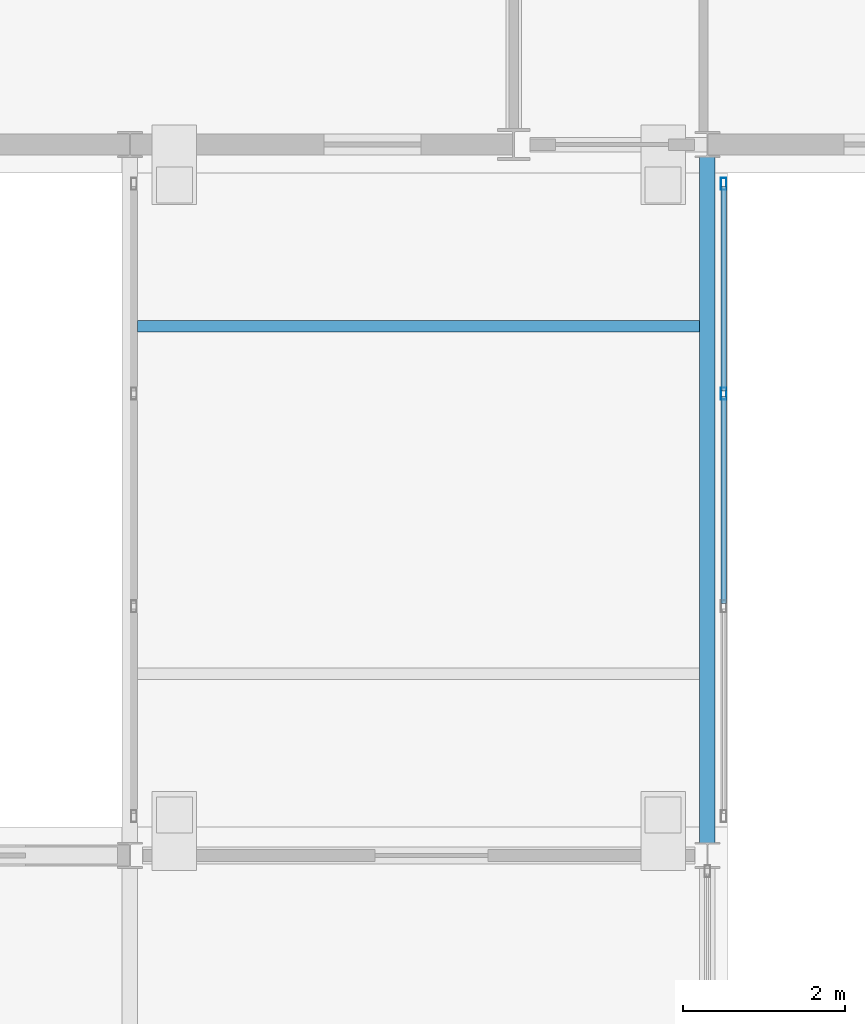
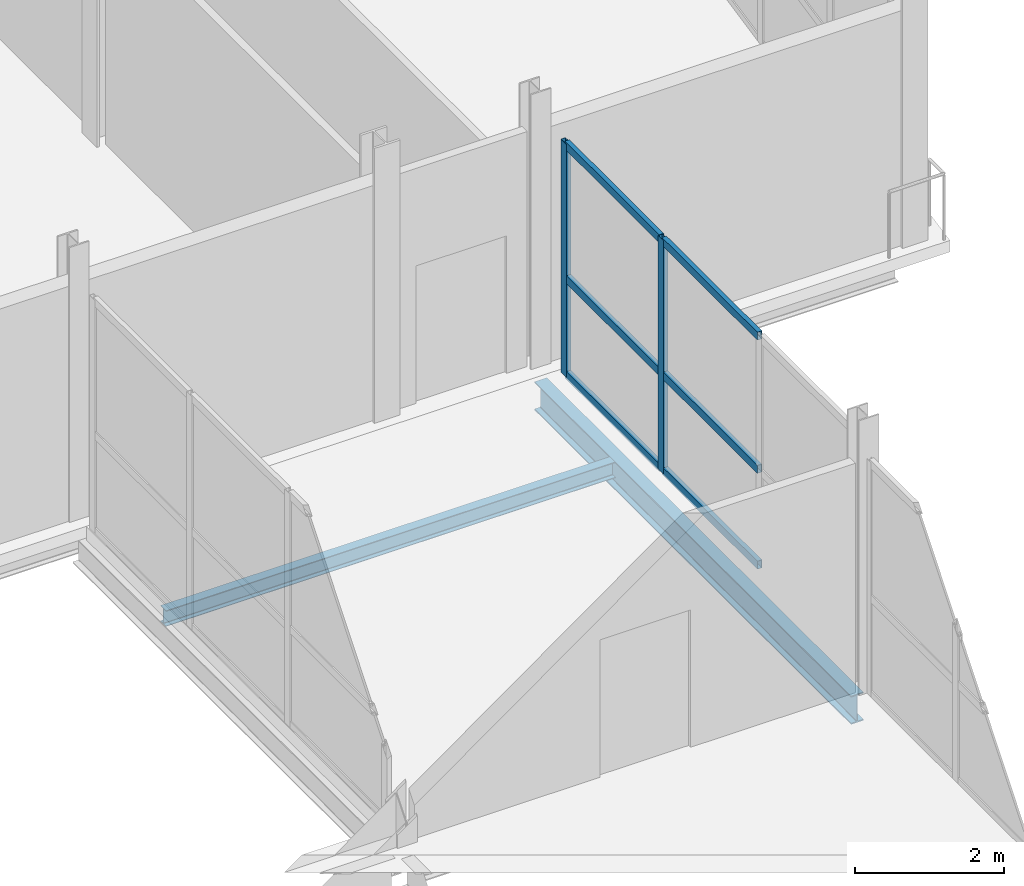
# One storey, part 25 of 77: 8 members, 2 beams, 1 element without a shape of its own.
"""IFC4 building model written with IfcOpenShell, lengths in metres."""

import ifcopenshell
import ifcopenshell.guid

model = None  # the IFC model being written
_history = None  # IfcOwnerHistory: only IFC2X3 demands one
_inside = {}  # id of a spatial element -> (the spatial element, [elements in it])
_under = {}  # id of a project, library or spatial element -> (it, [spatial elements below it])
_declared = {}  # id of a project -> (the project, [libraries it declares])
_typed = {}  # id of a type object -> (the type object, [elements of that type])
_made_of = {}  # id of a material, layer set ... -> (it, [elements and type objects made of it])


def new_model(schema):
    """Start an empty IFC model of exactly this schema.

    Asked for "IFC4X3", IfcOpenShell would pick the latest addendum, in which some entities
    have other attributes; the version numbers below select the first issue.
    IFC2X3 requires an IfcOwnerHistory on every rooted entity: one is made here for all.
    """
    global model, _history
    if schema == "IFC4X3":
        model = ifcopenshell.file(schema_version=(4, 3, 0, 0))
    else:
        model = ifcopenshell.file(schema=schema)
    _inside.clear()
    _under.clear()
    _declared.clear()
    _typed.clear()
    _made_of.clear()
    _history = None
    if model.schema == "IFC2X3":
        org = make("IfcOrganization", Name="unknown")
        user = make(
            "IfcPersonAndOrganization",
            ThePerson=make("IfcPerson", FamilyName="unknown"),
            TheOrganization=org,
        )
        app = make(
            "IfcApplication",
            ApplicationDeveloper=org,
            Version="unknown",
            ApplicationFullName="unknown",
            ApplicationIdentifier="unknown",
        )
        _history = make(
            "IfcOwnerHistory",
            OwningUser=user,
            OwningApplication=app,
            ChangeAction="ADDED",
            CreationDate=0,
        )
    return model


def make(cls, **values):
    """One entity of the class cls with the attributes given. An attribute that is None is left unset."""
    return model.create_entity(
        cls, **{name: value for name, value in values.items() if value is not None}
    )


def rooted(cls, **values):
    """An entity with a GlobalId (a new one), such as an element, a storey or a relation."""
    return make(cls, GlobalId=ifcopenshell.guid.new(), OwnerHistory=_history, **values)


def si_unit(unit_type, name, prefix=None):
    """IfcSIUnit, for example si_unit("LENGTHUNIT", "METRE", prefix="MILLI")."""
    return make("IfcSIUnit", UnitType=unit_type, Prefix=prefix, Name=name)


def assignment(units):
    """IfcUnitAssignment: the units of a project."""
    return None if units is None else make("IfcUnitAssignment", Units=units)


def point(xyz):
    """IfcCartesianPoint."""
    return None if xyz is None else make("IfcCartesianPoint", Coordinates=xyz)


def direction(xyz):
    """IfcDirection."""
    return None if xyz is None else make("IfcDirection", DirectionRatios=xyz)


def frame(location, z_axis=None, x_axis=None):
    """IfcAxis2Placement3D, a coordinate frame: its origin and axes. An axis left out is left unset."""
    return make(
        "IfcAxis2Placement3D",
        Location=point(location),
        Axis=direction(z_axis),
        RefDirection=direction(x_axis),
    )


def frame_2d(location, x_axis=None):
    """IfcAxis2Placement2D, a coordinate frame in the plane: its origin and x axis."""
    return make(
        "IfcAxis2Placement2D", Location=point(location), RefDirection=direction(x_axis)
    )


def origin():
    """The frame at (0, 0, 0) with its axes left unset."""
    return frame((0.0, 0.0, 0.0))


def origin_2d():
    """The frame at (0, 0) in the plane with its x axis left unset."""
    return frame_2d((0.0, 0.0))


def place(relative_to, where):
    """IfcLocalPlacement: puts the frame where relative to a parent placement (None: the world)."""
    return make(
        "IfcLocalPlacement", PlacementRelTo=relative_to, RelativePlacement=where
    )


def context(
    kind, dimensions, precision=None, world=None, true_north=None, identifier=None
):
    """IfcGeometricRepresentationContext, for example the 3D "Model" context."""
    return make(
        "IfcGeometricRepresentationContext",
        ContextIdentifier=identifier,
        ContextType=kind,
        CoordinateSpaceDimension=dimensions,
        Precision=precision,
        WorldCoordinateSystem=world,
        TrueNorth=true_north,
    )


def subcontext(parent, identifier, kind, view, scale=None):
    """IfcGeometricRepresentationSubContext, for example "Body" below "Model"."""
    return make(
        "IfcGeometricRepresentationSubContext",
        ContextIdentifier=identifier,
        ContextType=kind,
        ParentContext=parent,
        TargetScale=scale,
        TargetView=view,
    )


def project(units=None, contexts=None):
    """IfcProject with its units and contexts."""
    return rooted(
        "IfcProject",
        Name="project",
        RepresentationContexts=contexts,
        UnitsInContext=assignment(units),
    )


def spatial(cls, under=None, at=None, **own):
    """A site, building, storey or space (cls), placed at a placement, below another one or the project."""
    s = rooted(cls, ObjectPlacement=at, **own)
    if under is not None:
        _under.setdefault(under.id(), (under, []))[1].append(s)
    return s


def profile(cls, at=None, kind="AREA", **sizes):
    """A parametric profile (cls). Its sizes go by their IFC names, for example OverallWidth=200.0."""
    return make(cls, ProfileType=kind, Position=at, **sizes)


def hollow_rectangle(**sizes):
    """IfcRectangleHollowProfileDef."""
    return profile("IfcRectangleHollowProfileDef", **sizes)


def i_section(**sizes):
    """IfcIShapeProfileDef."""
    return profile("IfcIShapeProfileDef", **sizes)


def extrude(swept, where, along, depth):
    """IfcExtrudedAreaSolid: the profile swept, set in the frame where, extruded along a direction by depth."""
    return make(
        "IfcExtrudedAreaSolid",
        SweptArea=swept,
        Position=where,
        ExtrudedDirection=direction(along),
        Depth=depth,
    )


def shape(context_of_items, identifier, shape_type, items):
    """IfcShapeRepresentation: the items that make up one representation, for example the "Body"."""
    return make(
        "IfcShapeRepresentation",
        ContextOfItems=context_of_items,
        RepresentationIdentifier=identifier,
        RepresentationType=shape_type,
        Items=items,
    )


def material(Name=None, Category=None):
    """IfcMaterial."""
    return make("IfcMaterial", Name=Name, Category=Category)


def layer(
    of_material, thickness, ventilated=None, Name=None, Category=None, Priority=None
):
    """IfcMaterialLayer: one layer of a wall or slab, of a material (None: an air gap)."""
    return make(
        "IfcMaterialLayer",
        Material=of_material,
        LayerThickness=thickness,
        IsVentilated=ventilated,
        Name=Name,
        Category=Category,
        Priority=Priority,
    )


def layer_set(layers, Name=None):
    """IfcMaterialLayerSet."""
    return make("IfcMaterialLayerSet", MaterialLayers=layers, LayerSetName=Name)


def material_profile(
    of_material, cross_section, Name=None, Category=None, Priority=None
):
    """IfcMaterialProfile: a cross section and its material."""
    return make(
        "IfcMaterialProfile",
        Name=Name,
        Material=of_material,
        Profile=cross_section,
        Priority=Priority,
        Category=Category,
    )


def profile_set(profiles, Name=None, composite=None):
    """IfcMaterialProfileSet."""
    return make(
        "IfcMaterialProfileSet",
        Name=Name,
        MaterialProfiles=profiles,
        CompositeProfile=composite,
    )


def made_of(thing, what):
    """Note that an element or type object is made of a material, layer set ...; save() writes the relation."""
    if what is not None:
        _made_of.setdefault(what.id(), (what, []))[1].append(thing)
    return thing


def type_object(cls, material=None, **own):
    """A type object (cls), such as IfcWallType, which elements share."""
    return made_of(rooted(cls, **own), material)


def element(
    cls,
    number,
    at=None,
    inside=None,
    cuts=None,
    type_object=None,
    material=None,
    context=None,
    identifier="Body",
    shape_type=None,
    held_by="IfcProductDefinitionShape",
    body=None,
    shapes=None,
    **own,
):
    """One element of the class cls, such as IfcWall. Its Tag is "e" and its number.

    at: its placement. inside: the storey or other place that contains it. cuts: it is an
    opening in that element (IfcRelVoidsElement). A single representation is given by context,
    identifier, shape_type and body (its items); several are given by shapes. held_by: the class
    of the entity that holds the representations. save() writes the other relations.
    """
    e = rooted(cls, Tag="e%d" % number, ObjectPlacement=at, **own)
    if body is not None:
        shapes = [shape(context, identifier, shape_type, body)]
    if shapes is not None:
        e.Representation = make(held_by, Representations=shapes)
    if inside is not None:
        _inside.setdefault(inside.id(), (inside, []))[1].append(e)
    if cuts is not None:
        rooted(
            "IfcRelVoidsElement", RelatingBuildingElement=cuts, RelatedOpeningElement=e
        )
    if type_object is not None:
        _typed.setdefault(type_object.id(), (type_object, []))[1].append(e)
    return made_of(e, material)


def aggregate(whole, parts):
    """IfcRelAggregates: a whole, such as a stair, and the parts it consists of."""
    return rooted("IfcRelAggregates", RelatingObject=whole, RelatedObjects=parts)


def save(model, path):
    """Write the relations noted so far, then the file.

    IfcRelAggregates (storeys below a building ...), IfcRelContainedInSpatialStructure (elements
    in a storey), IfcRelDefinesByType, IfcRelAssociatesMaterial and IfcRelDeclares: one each for
    every whole, place, type object, material and project.
    """
    for whole, parts in _under.values():
        aggregate(whole, parts)
    for where, things in _inside.values():
        rooted(
            "IfcRelContainedInSpatialStructure",
            RelatedElements=things,
            RelatingStructure=where,
        )
    for kind, things in _typed.values():
        rooted("IfcRelDefinesByType", RelatedObjects=things, RelatingType=kind)
    for what, things in _made_of.values():
        rooted("IfcRelAssociatesMaterial", RelatedObjects=things, RelatingMaterial=what)
    for by, libraries in _declared.values():
        rooted("IfcRelDeclares", RelatingContext=by, RelatedDefinitions=libraries)
    model.write(path)


model = new_model("IFC4")

# Units and contexts
model_context = context("Model", 3, precision=1e-05, world=origin(), true_north=direction((0.0, 1.0)))
body_context = subcontext(model_context, "Body", "Model", "MODEL_VIEW")
ifc_project = project(units=[si_unit("LENGTHUNIT", "METRE"), si_unit("AREAUNIT", "SQUARE_METRE"), si_unit("VOLUMEUNIT", "CUBIC_METRE"), si_unit("PLANEANGLEUNIT", "RADIAN"), si_unit("MASSUNIT", "GRAM", prefix="KILO")], contexts=[model_context])

# Site, building, storey
site_placement = place(None, origin())
site = spatial("IfcSite", under=ifc_project, at=site_placement, CompositionType="ELEMENT")
building_placement = place(site_placement, origin())
building = spatial("IfcBuilding", under=site, at=building_placement, Name="Quillay Park Conservatory", CompositionType="ELEMENT")
storey_placement = place(building_placement, frame((0.0, 0.0, 5.39990234375)))
storey = spatial("IfcBuildingStorey", under=building, at=storey_placement, Name="L01", CompositionType="ELEMENT", Elevation=5.39990234375)

# Beam
ifc_material_1 = material(Name="Steel ASTM A992 Grade 50", Category="steel")
ifc_material_profile_1 = material_profile(ifc_material_1, i_section(OverallWidth=0.14599609375, OverallDepth=0.258056640625, WebThickness=0.006103515625, FlangeThickness=0.009033203125, FilletRadius=0.009033203125, at=origin_2d()), Name="W250x33")
ifc_profile_set_1 = profile_set([ifc_material_profile_1], Name="Steel ASTM A992 Grade 50")
beam_type_1 = type_object("IfcBeamType", Name="COMPOSITE FLOOR JOIST W250 X33", PredefinedType="JOIST", material=ifc_profile_set_1)
beam_1_placement = place(storey_placement, frame((15.095947265625, 60.800048828125, -0.348876953125), z_axis=(1.0, 0.0, 0.0), x_axis=(0.0, 1.0, 0.0)))
element("IfcBeam", 1, at=beam_1_placement, inside=storey, type_object=beam_type_1, Name="L01 beam BM-LB1J-1580", PredefinedType="JOIST", context=body_context, shape_type="SweptSolid", body=[
    extrude(i_section(OverallWidth=0.14599609375, OverallDepth=0.258056640625, WebThickness=0.006103515625, FlangeThickness=0.009033203125, FilletRadius=0.009033203125, at=origin_2d()), origin(), (0.0, 0.0, 1.0), 6.9580078125),
])

# Curtain wall, members
ifc_material_2 = material(Name="Thermally Broken Anodised Aluminium 6063-T6", Category="aluminium")
ifc_layer = layer(ifc_material_2, 0.155029296875)
ifc_layer_set = layer_set([ifc_layer], Name="UNITISED CURTAIN WALL BRIDGE (Thermally Broken Anodised Aluminium 6063-T6)")
curtain_wall_type = type_object("IfcCurtainWallType", Name="UNITISED CURTAIN WALL BRIDGE", PredefinedType="USERDEFINED", material=ifc_layer_set)
curtain_wall_placement = place(storey_placement, origin())
curtain_wall = element("IfcCurtainWall", 2, at=curtain_wall_placement, inside=storey, type_object=curtain_wall_type, Name="L01 Unitised Curtain Wall 216", ObjectType="UNITISED CURTAIN WALL", PredefinedType="USERDEFINED")
ifc_material_3 = material(Name="Thermally Broken Anodised Aluminium 6063-T6", Category="aluminium")
ifc_material_profile_2 = material_profile(ifc_material_3, hollow_rectangle(XDim=0.070068359375, YDim=0.14990234375, WallThickness=0.00341796875, at=origin_2d()), Name="AL70x150x3.5")
ifc_profile_set_2 = profile_set([ifc_material_profile_2], Name="Thermally Broken Anodised Aluminium 6063-T6")
member_type_1 = type_object("IfcMemberType", Name="CURTAIN WALL MULLION 70 X150", PredefinedType="MULLION", material=ifc_profile_set_2)
member_1_placement = place(storey_placement, frame((22.35009765625, 62.56494140625, 0.0), z_axis=(0.0, 0.0, 1.0), x_axis=(1.0, 0.0, 0.0)))
member_1 = element("IfcMember", 3, at=member_1_placement, type_object=member_type_1, Name="CW-B1 mullion 1", PredefinedType="MULLION", context=body_context, shape_type="SweptSolid", body=[
    extrude(hollow_rectangle(XDim=0.070068359375, YDim=0.14990234375, WallThickness=0.00341796875, at=origin_2d()), origin(), (0.0, 0.0, 1.0), 3.819091796875),
])
member_2_placement = place(storey_placement, frame((22.35009765625, 59.966552734375, 0.0), z_axis=(0.0, 0.0, 1.0), x_axis=(1.0, 0.0, 0.0)))
member_2 = element("IfcMember", 4, at=member_2_placement, type_object=member_type_1, Name="CW-B1 mullion 2", PredefinedType="MULLION", context=body_context, shape_type="SweptSolid", body=[
    extrude(hollow_rectangle(XDim=0.070068359375, YDim=0.14990234375, WallThickness=0.00341796875, at=origin_2d()), origin(), (0.0, 0.0, 1.0), 3.819091796875),
])
ifc_material_4 = material(Name="Thermally Broken Anodised Aluminium 6063-T6", Category="aluminium")
ifc_material_profile_3 = material_profile(ifc_material_4, hollow_rectangle(XDim=0.070068359375, YDim=0.1298828125, WallThickness=0.003173828125, at=origin_2d()), Name="AL70x130x3.2")
ifc_profile_set_3 = profile_set([ifc_material_profile_3], Name="Thermally Broken Anodised Aluminium 6063-T6")
member_type_2 = type_object("IfcMemberType", Name="CURTAIN WALL TRANSOM 70 X130", PredefinedType="USERDEFINED", material=ifc_profile_set_3)
member_3_placement = place(storey_placement, frame((22.35009765625, 62.530029296875, 0.03515625), z_axis=(0.0, -1.0, 0.0), x_axis=(1.0, 0.0, 0.0)))
member_3 = element("IfcMember", 5, at=member_3_placement, type_object=member_type_2, Name="CW-B1 transom 1.1", ObjectType="TRANSOM", PredefinedType="USERDEFINED", context=body_context, shape_type="SweptSolid", body=[
    extrude(hollow_rectangle(XDim=0.070068359375, YDim=0.1298828125, WallThickness=0.003173828125, at=origin_2d()), origin(), (0.0, 0.0, 1.0), 2.5283203125),
])
member_4_placement = place(storey_placement, frame((22.35009765625, 62.530029296875, 1.60400390625), z_axis=(0.0, -1.0, 0.0), x_axis=(1.0, 0.0, 0.0)))
member_4 = element("IfcMember", 6, at=member_4_placement, type_object=member_type_2, Name="CW-B1 transom 1.2", ObjectType="TRANSOM", PredefinedType="USERDEFINED", context=body_context, shape_type="SweptSolid", body=[
    extrude(hollow_rectangle(XDim=0.070068359375, YDim=0.1298828125, WallThickness=0.003173828125, at=origin_2d()), origin(), (0.0, 0.0, 1.0), 2.5283203125),
])
member_5_placement = place(storey_placement, frame((22.35009765625, 62.530029296875, 3.7841796875), z_axis=(0.0, -1.0, 0.0), x_axis=(1.0, 0.0, 0.0)))
member_5 = element("IfcMember", 7, at=member_5_placement, type_object=member_type_2, Name="CW-B1 transom 1.3", ObjectType="TRANSOM", PredefinedType="USERDEFINED", context=body_context, shape_type="SweptSolid", body=[
    extrude(hollow_rectangle(XDim=0.070068359375, YDim=0.1298828125, WallThickness=0.003173828125, at=origin_2d()), origin(), (0.0, 0.0, 1.0), 2.5283203125),
])
member_6_placement = place(storey_placement, frame((22.35009765625, 59.931640625, 0.03515625), z_axis=(0.0, -1.0, 0.0), x_axis=(1.0, 0.0, 0.0)))
member_6 = element("IfcMember", 8, at=member_6_placement, type_object=member_type_2, Name="CW-B1 transom 2.1", ObjectType="TRANSOM", PredefinedType="USERDEFINED", context=body_context, shape_type="SweptSolid", body=[
    extrude(hollow_rectangle(XDim=0.070068359375, YDim=0.1298828125, WallThickness=0.003173828125, at=origin_2d()), origin(), (0.0, 0.0, 1.0), 2.563232421875),
])
member_7_placement = place(storey_placement, frame((22.35009765625, 59.931640625, 1.60400390625), z_axis=(0.0, -1.0, 0.0), x_axis=(1.0, 0.0, 0.0)))
member_7 = element("IfcMember", 9, at=member_7_placement, type_object=member_type_2, Name="CW-B1 transom 2.2", ObjectType="TRANSOM", PredefinedType="USERDEFINED", context=body_context, shape_type="SweptSolid", body=[
    extrude(hollow_rectangle(XDim=0.070068359375, YDim=0.1298828125, WallThickness=0.003173828125, at=origin_2d()), origin(), (0.0, 0.0, 1.0), 2.563232421875),
])
member_8_placement = place(storey_placement, frame((22.35009765625, 59.931640625, 3.7841796875), z_axis=(0.0, -1.0, 0.0), x_axis=(1.0, 0.0, 0.0)))
member_8 = element("IfcMember", 10, at=member_8_placement, type_object=member_type_2, Name="CW-B1 transom 2.3", ObjectType="TRANSOM", PredefinedType="USERDEFINED", context=body_context, shape_type="SweptSolid", body=[
    extrude(hollow_rectangle(XDim=0.070068359375, YDim=0.1298828125, WallThickness=0.003173828125, at=origin_2d()), origin(), (0.0, 0.0, 1.0), 2.563232421875),
])
aggregate(curtain_wall, [member_1, member_2, member_3, member_4, member_5, member_6, member_7, member_8])

# Beam
ifc_material_5 = material(Name="Steel ASTM A992 Grade 50", Category="steel")
ifc_material_profile_4 = material_profile(ifc_material_5, i_section(OverallWidth=0.19189453125, OverallDepth=0.462890625, WebThickness=0.010498046875, FlangeThickness=0.017578125, FilletRadius=0.012939453125, at=origin_2d()), Name="W460x89")
ifc_profile_set_4 = profile_set([ifc_material_profile_4], Name="Steel ASTM A992 Grade 50")
beam_type_2 = type_object("IfcBeamType", Name="PRIMARY FLOOR GIRDER W460 X89", PredefinedType="BEAM", material=ifc_profile_set_4)
beam_2_placement = place(storey_placement, frame((22.14990234375, 54.405029296875, -0.451416015625), z_axis=(0.0, 1.0, 0.0), x_axis=(-1.0, 0.0, 0.0)))
element("IfcBeam", 11, at=beam_2_placement, inside=storey, type_object=beam_type_2, Name="L01 beam BM-LB1-1578", PredefinedType="BEAM", context=body_context, shape_type="SweptSolid", body=[
    extrude(i_section(OverallWidth=0.19189453125, OverallDepth=0.462890625, WebThickness=0.010498046875, FlangeThickness=0.017578125, FilletRadius=0.012939453125, at=origin_2d()), origin(), (0.0, 0.0, 1.0), 8.489990234375),
])

save(model, "model.ifc")
